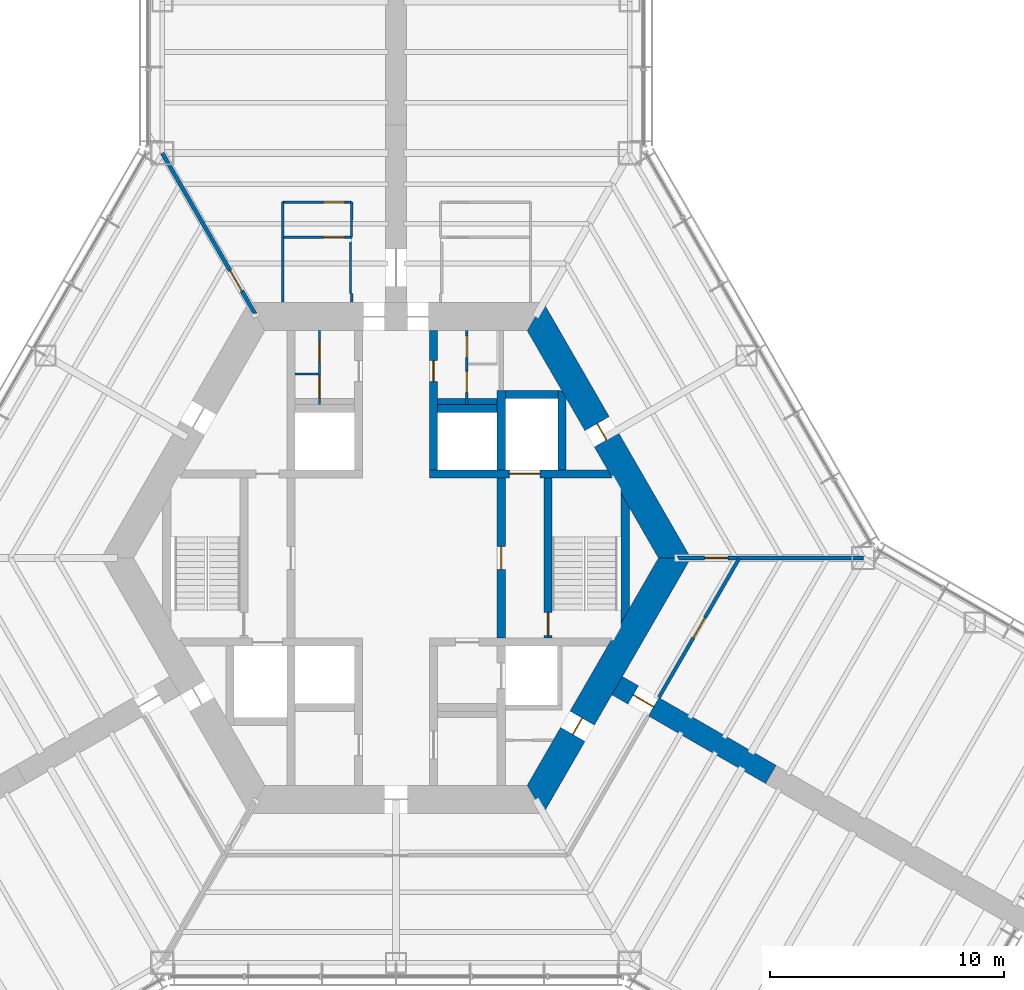
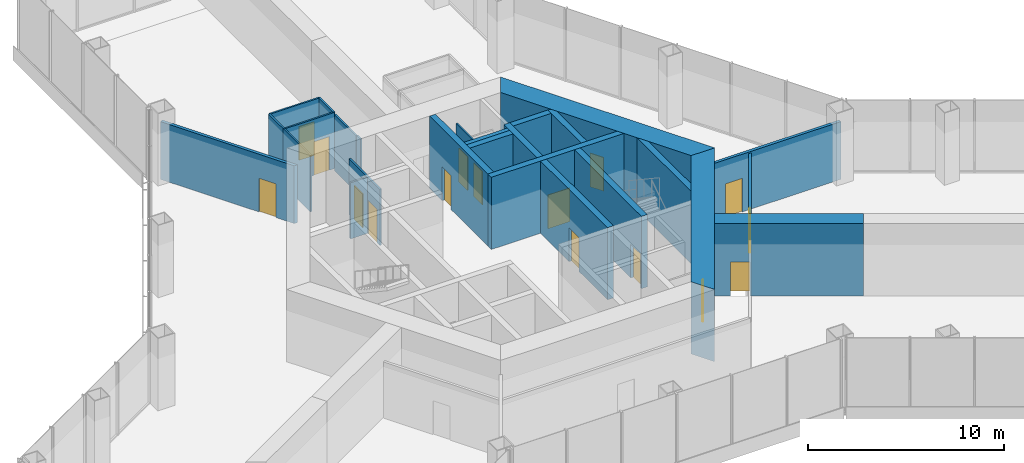
# One storey, part 10 of 13: 26 walls, 16 doors, 16 openings.
"""IFC4 building model written with IfcOpenShell, lengths in metres."""

from ifc_helpers import new_model, si_unit, direction, frame, frame_2d, origin, place, context, subcontext, project, spatial, polyline, rectangle, outline, extrude, material, layer, layer_set, type_object, element, fill, save


model = new_model("IFC4")

# Units and contexts
model_context = context("Model", 3, precision=1e-05, world=origin(), true_north=direction((0.0, 1.0)))
body_context = subcontext(model_context, "Body", "Model", "MODEL_VIEW")
ifc_project = project(units=[si_unit("LENGTHUNIT", "METRE"), si_unit("AREAUNIT", "SQUARE_METRE"), si_unit("VOLUMEUNIT", "CUBIC_METRE"), si_unit("PLANEANGLEUNIT", "RADIAN"), si_unit("MASSUNIT", "GRAM", prefix="KILO")], contexts=[model_context])

# Site, building, storey
site_placement = place(None, origin())
site = spatial("IfcSite", under=ifc_project, at=site_placement, CompositionType="ELEMENT")
building_placement = place(site_placement, origin())
building = spatial("IfcBuilding", under=site, at=building_placement, Name="Kasaneha Research Tower", CompositionType="ELEMENT")
storey_placement = place(building_placement, frame((0.0, 0.0, 5.5)))
storey = spatial("IfcBuildingStorey", under=building, at=storey_placement, Name="L02", CompositionType="ELEMENT", Elevation=5.5)

# Wall, opening, door
ifc_material_1 = material(Name="Concrete Fc100", Category="concrete")
ifc_layer_1 = layer(ifc_material_1, 0.35009765625)
ifc_layer_set_1 = layer_set([ifc_layer_1], Name="Core internal wall 350 Fc100")
wall_type_1 = type_object("IfcWallType", Name="Core internal wall 350 Fc100", PredefinedType="SHEAR", material=ifc_layer_set_1)
wall_1_placement = place(storey_placement, frame((1.425048828125, 3.60009765625, 0.0), z_axis=(0.0, 0.0, 1.0), x_axis=(1.0, 0.0, 0.0)))
wall_1 = element("IfcWall", 1, at=wall_1_placement, inside=storey, type_object=wall_type_1, Name="Core wall W1E L02", PredefinedType="SHEAR", context=body_context, shape_type="SweptSolid", body=[
    extrude(outline(polyline([(0.0, -0.175048828125), (3.425048828125, -0.175048828125), (4.72509765625, -0.175048828125), (7.8271484375, -0.175048828125), (7.625, 0.175048828125), (4.72509765625, 0.175048828125), (3.425048828125, 0.175048828125), (0.0, 0.175048828125), (0.0, -0.175048828125)])), origin(), (0.0, 0.0, 1.0), 4.5),
])
opening_1_placement = place(wall_1_placement, frame((3.425048828125, 0.0, 0.0)))
opening_1 = element("IfcOpeningElement", 2, at=opening_1_placement, cuts=wall_1, Name="Opening LD-FL1-L02", PredefinedType="OPENING", context=body_context, shape_type="SweptSolid", body=[
    extrude(rectangle(XDim=1.300048828125, YDim=2.10009765625, at=frame_2d((0.64990234375, 1.050048828125))), frame((0.0, 0.18505859375, 0.0), z_axis=(0.0, -1.0, 0.0), x_axis=(1.0, 0.0, 0.0)), (0.0, 0.0, 1.0), 0.3701171875),
])
ifc_material_2 = material(Name="Steel", Category="steel")
door_type_1 = type_object("IfcDoorType", Name="Lift landing door 1300x2100", OperationType="DOUBLE_DOOR_SLIDING", PredefinedType="DOOR", material=ifc_material_2)
door_1_placement = place(opening_1_placement, origin())
door_1 = element("IfcDoor", 3, at=door_1_placement, inside=storey, type_object=door_type_1, Name="Landing door FL1 LD-FL1-L02", OperationType="DOUBLE_DOOR_SLIDING", OverallHeight=2.10009765625, OverallWidth=1.300048828125, PredefinedType="DOOR", context=body_context, shape_type="SweptSolid", body=[
    extrude(rectangle(XDim=1.300048828125, YDim=2.10009765625, at=frame_2d((0.64990234375, 1.050048828125))), frame((0.0, 0.02490234375, 0.0), z_axis=(0.0, -1.0, 0.0), x_axis=(1.0, 0.0, 0.0)), (0.0, 0.0, 1.0), 0.050048828125),
])
fill(opening_1, door_1)

wall_2_placement = place(storey_placement, frame((1.60009765625, 3.77490234375, 0.0), z_axis=(0.0, 0.0, 1.0), x_axis=(0.0, 1.0, 0.0)))
wall_2 = element("IfcWall", 4, at=wall_2_placement, inside=storey, type_object=wall_type_1, Name="Core wall CNE L02", PredefinedType="SHEAR", context=body_context, shape_type="SweptSolid", body=[
    extrude(rectangle(XDim=5.9501953125, YDim=0.35009765625, at=frame_2d((2.97509765625, 0.0))), origin(), (0.0, 0.0, 1.0), 4.5),
])
opening_2_placement = place(wall_2_placement, frame((3.77490234375, 0.0, 0.0)))
opening_2 = element("IfcOpeningElement", 5, at=opening_2_placement, cuts=wall_2, Name="Opening L02-D14", PredefinedType="OPENING", context=body_context, shape_type="SweptSolid", body=[
    extrude(rectangle(XDim=0.89990234375, YDim=2.10009765625, at=frame_2d((0.449951171875, 1.050048828125))), frame((0.0, 0.18505859375, 0.0), z_axis=(0.0, -1.0, 0.0), x_axis=(1.0, 0.0, 0.0)), (0.0, 0.0, 1.0), 0.3701171875),
])
ifc_material_3 = material(Name="Steel", Category="steel")
door_type_2 = type_object("IfcDoorType", Name="Toilet door FD20 900x2100", OperationType="NOTDEFINED", PredefinedType="DOOR", material=ifc_material_3)
door_2_placement = place(opening_2_placement, origin())
door_2 = element("IfcDoor", 6, at=door_2_placement, inside=storey, type_object=door_type_2, Name="Women's WC door L02-D14", OperationType="SINGLE_SWING_LEFT", OverallHeight=2.10009765625, OverallWidth=0.89990234375, PredefinedType="DOOR", context=body_context, shape_type="SweptSolid", body=[
    extrude(rectangle(XDim=0.89990234375, YDim=2.10009765625, at=frame_2d((0.449951171875, 1.050048828125))), frame((0.0, 0.02490234375, 0.0), z_axis=(0.0, -1.0, 0.0), x_axis=(1.0, 0.0, 0.0)), (0.0, 0.0, 1.0), 0.050048828125),
])
fill(opening_2, door_2)

wall_3_placement = place(storey_placement, frame((4.5, -3.425048828125, 0.0), z_axis=(0.0, 0.0, 1.0), x_axis=(0.0, 1.0, 0.0)))
wall_3 = element("IfcWall", 7, at=wall_3_placement, inside=storey, type_object=wall_type_1, Name="Core wall LBE L02", PredefinedType="SHEAR", context=body_context, shape_type="SweptSolid", body=[
    extrude(rectangle(XDim=6.85009765625, YDim=0.35009765625, at=frame_2d((3.425048828125, 0.0))), origin(), (0.0, 0.0, 1.0), 4.5),
])
opening_3_placement = place(wall_3_placement, frame((2.925048828125, 0.0, 0.0)))
opening_3 = element("IfcOpeningElement", 8, at=opening_3_placement, cuts=wall_3, Name="Opening L02-D08", PredefinedType="OPENING", context=body_context, shape_type="SweptSolid", body=[
    extrude(rectangle(XDim=1.0, YDim=2.10009765625, at=frame_2d((0.5, 1.050048828125))), frame((0.0, 0.18505859375, 0.0), z_axis=(0.0, -1.0, 0.0), x_axis=(1.0, 0.0, 0.0)), (0.0, 0.0, 1.0), 0.3701171875),
])
ifc_material_4 = material(Name="Steel", Category="steel")
door_type_3 = type_object("IfcDoorType", Name="Specified fire door FD60 1000x2100", OperationType="NOTDEFINED", PredefinedType="DOOR", material=ifc_material_4)
door_3_placement = place(opening_3_placement, origin())
door_3 = element("IfcDoor", 9, at=door_3_placement, inside=storey, type_object=door_type_3, Name="Lift lobby door east L02-D08", OperationType="SINGLE_SWING_LEFT", OverallHeight=2.10009765625, OverallWidth=1.0, PredefinedType="DOOR", context=body_context, shape_type="SweptSolid", body=[
    extrude(rectangle(XDim=1.0, YDim=2.10009765625, at=frame_2d((0.5, 1.050048828125))), frame((0.0, 0.02490234375, 0.0), z_axis=(0.0, -1.0, 0.0), x_axis=(1.0, 0.0, 0.0)), (0.0, 0.0, 1.0), 0.050048828125),
])
fill(opening_3, door_3)

wall_4_placement = place(storey_placement, frame((6.5, -3.425048828125, 0.0), z_axis=(0.0, 0.0, 1.0), x_axis=(0.0, 1.0, 0.0)))
wall_4 = element("IfcWall", 10, at=wall_4_placement, inside=storey, type_object=wall_type_1, Name="Core wall ANE L02", PredefinedType="SHEAR", context=body_context, shape_type="SweptSolid", body=[
    extrude(rectangle(XDim=6.85009765625, YDim=0.35009765625, at=frame_2d((3.425048828125, 0.0))), origin(), (0.0, 0.0, 1.0), 4.5),
])
opening_4_placement = place(wall_4_placement, frame((0.10009765625, 0.0, 0.0)))
opening_4 = element("IfcOpeningElement", 11, at=opening_4_placement, cuts=wall_4, Name="Opening L02-D10", PredefinedType="OPENING", context=body_context, shape_type="SweptSolid", body=[
    extrude(rectangle(XDim=1.0, YDim=2.10009765625, at=frame_2d((0.5, 1.050048828125))), frame((0.0, 0.18505859375, 0.0), z_axis=(0.0, -1.0, 0.0), x_axis=(1.0, 0.0, 0.0)), (0.0, 0.0, 1.0), 0.3701171875),
])
door_4_placement = place(opening_4_placement, origin())
door_4 = element("IfcDoor", 12, at=door_4_placement, inside=storey, type_object=door_type_3, Name="Stair 1 door L02-D10", OperationType="SINGLE_SWING_LEFT", OverallHeight=2.10009765625, OverallWidth=1.0, PredefinedType="DOOR", context=body_context, shape_type="SweptSolid", body=[
    extrude(rectangle(XDim=1.0, YDim=2.10009765625, at=frame_2d((0.5, 1.050048828125))), frame((0.0, 0.02490234375, 0.0), z_axis=(0.0, -1.0, 0.0), x_axis=(1.0, 0.0, 0.0)), (0.0, 0.0, 1.0), 0.050048828125),
])
fill(opening_4, door_4)

# Walls
wall_5_placement = place(storey_placement, frame((4.5, 3.77490234375, 0.0), z_axis=(0.0, 0.0, 1.0), x_axis=(0.0, 1.0, 0.0)))
element("IfcWall", 13, at=wall_5_placement, inside=storey, type_object=wall_type_1, Name="Core wall FNE L02", PredefinedType="SHEAR", context=body_context, shape_type="SweptSolid", body=[
    extrude(rectangle(XDim=3.400146484375, YDim=0.35009765625, at=frame_2d((1.7001953125, 0.0))), origin(), (0.0, 0.0, 1.0), 4.5),
])
wall_6_placement = place(storey_placement, frame((1.77490234375, 6.39990234375, 0.0), z_axis=(0.0, 0.0, 1.0), x_axis=(1.0, 0.0, 0.0)))
element("IfcWall", 14, at=wall_6_placement, inside=storey, type_object=wall_type_1, Name="Core wall N3N L02", PredefinedType="SHEAR", context=body_context, shape_type="SweptSolid", body=[
    extrude(rectangle(XDim=2.550048828125, YDim=0.35009765625, at=frame_2d((1.27490234375, 0.0))), origin(), (0.0, 0.0, 1.0), 4.5),
])
wall_7_placement = place(storey_placement, frame((4.675048828125, 7.0, 0.0), z_axis=(0.0, 0.0, 1.0), x_axis=(1.0, 0.0, 0.0)))
element("IfcWall", 15, at=wall_7_placement, inside=storey, type_object=wall_type_1, Name="Core wall F1N L02", PredefinedType="SHEAR", context=body_context, shape_type="SweptSolid", body=[
    extrude(rectangle(XDim=2.25, YDim=0.35009765625, at=frame_2d((1.125, 0.0))), origin(), (0.0, 0.0, 1.0), 4.5),
])
wall_8_placement = place(storey_placement, frame((7.10009765625, 3.77490234375, 0.0), z_axis=(0.0, 0.0, 1.0), x_axis=(0.0, 1.0, 0.0)))
element("IfcWall", 16, at=wall_8_placement, inside=storey, type_object=wall_type_1, Name="Core wall F1E L02", PredefinedType="SHEAR", context=body_context, shape_type="SweptSolid", body=[
    extrude(outline(polyline([(0.0, -0.175048828125), (3.07421875, -0.175048828125), (3.37744140625, 0.0), (3.39990234375, 0.175048828125), (0.0, 0.175048828125), (0.0, -0.175048828125)])), origin(), (0.0, 0.0, 1.0), 4.5),
])
wall_9_placement = place(storey_placement, frame((9.807861328125, -2.462158203125, 0.0), z_axis=(0.0, 0.0, 1.0), x_axis=(0.0, 1.0, 0.0)))
element("IfcWall", 17, at=wall_9_placement, inside=storey, type_object=wall_type_1, Name="Core wall STE L02", PredefinedType="SHEAR", context=body_context, shape_type="SweptSolid", body=[
    extrude(outline(polyline([(0.30322265625, -0.175048828125), (4.62109375, -0.175048828125), (5.2275390625, 0.175048828125), (-0.30322265625, 0.175048828125), (0.30322265625, -0.175048828125)])), origin(), (0.0, 0.0, 1.0), 4.5),
])

# Wall, opening, door
ifc_material_5 = material(Name="Concrete Fc100", Category="concrete")
ifc_layer_2 = layer(ifc_material_5, 1.199951171875)
ifc_layer_set_2 = layer_set([ifc_layer_2], Name="Core wall 1200 Fc100")
wall_type_2 = type_object("IfcWallType", Name="Core wall 1200 Fc100", PredefinedType="SHEAR", material=ifc_layer_set_2)
wall_10_placement = place(storey_placement, frame((11.92236328125, 0.0, 0.0), z_axis=(0.0, 0.0, 1.0), x_axis=(-0.500004296715, 0.866022923061, 0.0)))
wall_10 = element("IfcWall", 18, at=wall_10_placement, inside=storey, type_object=wall_type_2, Name="Core wall 030 L02", PredefinedType="SHEAR", context=body_context, shape_type="SweptSolid", body=[
    extrude(outline(polyline([(-0.346435546875, -0.60009765625), (5.83544921875, -0.60009765625), (6.635498046875, -0.60009765625), (12.268798828125, -0.60009765625), (11.575927734375, 0.60009765625), (6.635498046875, 0.60009765625), (5.83544921875, 0.60009765625), (0.346435546875, 0.60009765625), (-0.346435546875, -0.60009765625)])), origin(), (0.0, 0.0, 1.0), 4.5),
])
opening_5_placement = place(wall_10_placement, frame((5.83544921875, 0.0, 0.0)))
opening_5 = element("IfcOpeningElement", 19, at=opening_5_placement, cuts=wall_10, Name="Opening L02-D04", PredefinedType="OPENING", context=body_context, shape_type="SweptSolid", body=[
    extrude(rectangle(XDim=0.800048828125, YDim=2.10009765625, at=frame_2d((0.39990234375, 1.050048828125))), frame((0.0, 0.60986328125, 0.0), z_axis=(0.0, -1.0, 0.0), x_axis=(1.0, 0.0, 0.0)), (0.0, 0.0, 1.0), 1.219970703125),
])
ifc_material_6 = material(Name="Steel", Category="steel")
door_type_4 = type_object("IfcDoorType", Name="Riser access door FD60 800x2100", OperationType="NOTDEFINED", PredefinedType="DOOR", material=ifc_material_6)
door_5_placement = place(opening_5_placement, origin())
door_5 = element("IfcDoor", 20, at=door_5_placement, inside=storey, type_object=door_type_4, Name="Pipe riser door L02-D04", OperationType="SINGLE_SWING_RIGHT", OverallHeight=2.10009765625, OverallWidth=0.800048828125, PredefinedType="DOOR", context=body_context, shape_type="SweptSolid", body=[
    extrude(rectangle(XDim=0.800048828125, YDim=2.10009765625, at=frame_2d((0.39990234375, 1.050048828125))), frame((0.0, 0.02490234375, 0.0), z_axis=(0.0, -1.0, 0.0), x_axis=(1.0, 0.0, 0.0)), (0.0, 0.0, 1.0), 0.050048828125),
])
fill(opening_5, door_5)

wall_11_placement = place(storey_placement, frame((5.961181640625, -10.324951171875, 0.0), z_axis=(0.0, 0.0, 1.0), x_axis=(0.500004296715, 0.866022923061, 0.0)))
wall_11 = element("IfcWall", 21, at=wall_11_placement, inside=storey, type_object=wall_type_2, Name="Core wall 330 L02", PredefinedType="SHEAR", context=body_context, shape_type="SweptSolid", body=[
    extrude(outline(polyline([(-0.346435546875, -0.60009765625), (3.20849609375, -0.60009765625), (4.008544921875, -0.60009765625), (12.268798828125, -0.60009765625), (11.575927734375, 0.60009765625), (4.008544921875, 0.60009765625), (3.20849609375, 0.60009765625), (0.346435546875, 0.60009765625), (-0.346435546875, -0.60009765625)])), origin(), (0.0, 0.0, 1.0), 4.5),
])
opening_6_placement = place(wall_11_placement, frame((3.20849609375, 0.0, 0.0)))
opening_6 = element("IfcOpeningElement", 22, at=opening_6_placement, cuts=wall_11, Name="Opening L02-D05", PredefinedType="OPENING", context=body_context, shape_type="SweptSolid", body=[
    extrude(rectangle(XDim=0.800048828125, YDim=2.10009765625, at=frame_2d((0.39990234375, 1.050048828125))), frame((0.0, 0.60986328125, 0.0), z_axis=(0.0, -1.0, 0.0), x_axis=(1.0, 0.0, 0.0)), (0.0, 0.0, 1.0), 1.219970703125),
])
door_6_placement = place(opening_6_placement, origin())
door_6 = element("IfcDoor", 23, at=door_6_placement, inside=storey, type_object=door_type_4, Name="Pipe riser door L02-D05", OperationType="SINGLE_SWING_LEFT", OverallHeight=2.10009765625, OverallWidth=0.800048828125, PredefinedType="DOOR", context=body_context, shape_type="SweptSolid", body=[
    extrude(rectangle(XDim=0.800048828125, YDim=2.10009765625, at=frame_2d((0.39990234375, 1.050048828125))), frame((0.0, 0.02490234375, 0.0), z_axis=(0.0, -1.0, 0.0), x_axis=(1.0, 0.0, 0.0)), (0.0, 0.0, 1.0), 0.050048828125),
])
fill(opening_6, door_6)

# Wall, openings, doors
ifc_material_7 = material(Name="Gypsum board on steel studs, one layer each side", Category="steel")
ifc_layer_3 = layer(ifc_material_7, 0.10009765625)
ifc_layer_set_3 = layer_set([ifc_layer_3], Name="Office partition 100")
wall_type_3 = type_object("IfcWallType", Name="Office partition 100", PredefinedType="PARTITIONING", material=ifc_layer_set_3)
wall_12_placement = place(storey_placement, frame((-3.27490234375, 6.574951171875, 0.0), z_axis=(0.0, 0.0, 1.0), x_axis=(0.0, 1.0, 0.0)))
wall_12 = element("IfcWall", 24, at=wall_12_placement, inside=storey, type_object=wall_type_3, Name="Office partition TBM1 L02", PredefinedType="PARTITIONING", context=body_context, shape_type="SweptSolid", body=[
    extrude(rectangle(XDim=3.150146484375, YDim=0.10009765625, at=frame_2d((1.5751953125, 0.0))), origin(), (0.0, 0.0, 1.0), 3.5),
])
opening_7_placement = place(wall_12_placement, frame((1.800048828125, 0.0, 0.0)))
opening_7 = element("IfcOpeningElement", 25, at=opening_7_placement, cuts=wall_12, Name="Opening L02-D20", PredefinedType="OPENING", context=body_context, shape_type="SweptSolid", body=[
    extrude(rectangle(XDim=0.89990234375, YDim=2.10009765625, at=frame_2d((0.449951171875, 1.050048828125))), frame((0.0, 0.06005859375, 0.0), z_axis=(0.0, -1.0, 0.0), x_axis=(1.0, 0.0, 0.0)), (0.0, 0.0, 1.0), 0.1201171875),
])
opening_8_placement = place(wall_12_placement, frame((0.300048828125, 0.0, 0.0)))
opening_8 = element("IfcOpeningElement", 26, at=opening_8_placement, cuts=wall_12, Name="Opening L02-D21", PredefinedType="OPENING", context=body_context, shape_type="SweptSolid", body=[
    extrude(rectangle(XDim=0.89990234375, YDim=2.10009765625, at=frame_2d((0.449951171875, 1.050048828125))), frame((0.0, 0.06005859375, 0.0), z_axis=(0.0, -1.0, 0.0), x_axis=(1.0, 0.0, 0.0)), (0.0, 0.0, 1.0), 0.1201171875),
])
ifc_material_8 = material(Name="Steel", Category="steel")
door_type_5 = type_object("IfcDoorType", Name="Toilet lobby door FD30 900x2100", OperationType="NOTDEFINED", PredefinedType="DOOR", material=ifc_material_8)
door_7_placement = place(opening_7_placement, origin())
door_7 = element("IfcDoor", 27, at=door_7_placement, inside=storey, type_object=door_type_5, Name="Men's WC door L02-D20", OperationType="SINGLE_SWING_RIGHT", OverallHeight=2.10009765625, OverallWidth=0.89990234375, PredefinedType="DOOR", context=body_context, shape_type="SweptSolid", body=[
    extrude(rectangle(XDim=0.89990234375, YDim=2.10009765625, at=frame_2d((0.449951171875, 1.050048828125))), frame((0.0, 0.02490234375, 0.0), z_axis=(0.0, -1.0, 0.0), x_axis=(1.0, 0.0, 0.0)), (0.0, 0.0, 1.0), 0.050048828125),
])
fill(opening_7, door_7)
door_8_placement = place(opening_8_placement, origin())
door_8 = element("IfcDoor", 28, at=door_8_placement, inside=storey, type_object=door_type_5, Name="Cleaner's store door L02-D21", OperationType="SINGLE_SWING_RIGHT", OverallHeight=2.10009765625, OverallWidth=0.89990234375, PredefinedType="DOOR", context=body_context, shape_type="SweptSolid", body=[
    extrude(rectangle(XDim=0.89990234375, YDim=2.10009765625, at=frame_2d((0.449951171875, 1.050048828125))), frame((0.0, 0.02490234375, 0.0), z_axis=(0.0, -1.0, 0.0), x_axis=(1.0, 0.0, 0.0)), (0.0, 0.0, 1.0), 0.050048828125),
])
fill(opening_8, door_8)

# Wall
wall_13_placement = place(storey_placement, frame((-3.324951171875, 7.875, 0.0), z_axis=(0.0, 0.0, 1.0), x_axis=(-1.0, 0.0, 0.0)))
element("IfcWall", 29, at=wall_13_placement, inside=storey, type_object=wall_type_3, Name="Office partition TBM2 L02", PredefinedType="PARTITIONING", context=body_context, shape_type="SweptSolid", body=[
    extrude(rectangle(XDim=1.0, YDim=0.10009765625, at=frame_2d((0.5, 0.0))), origin(), (0.0, 0.0, 1.0), 3.5),
])

# Wall, openings, doors
wall_14_placement = place(storey_placement, frame((3.02490234375, 6.574951171875, 0.0), z_axis=(0.0, 0.0, 1.0), x_axis=(0.0, 1.0, 0.0)))
wall_14 = element("IfcWall", 30, at=wall_14_placement, inside=storey, type_object=wall_type_3, Name="Office partition TBF1 L02", PredefinedType="PARTITIONING", context=body_context, shape_type="SweptSolid", body=[
    extrude(rectangle(XDim=3.150146484375, YDim=0.10009765625, at=frame_2d((1.5751953125, 0.0))), origin(), (0.0, 0.0, 1.0), 3.5),
])
opening_9_placement = place(wall_14_placement, frame((2.014892578125, 0.0, 0.0)))
opening_9 = element("IfcOpeningElement", 31, at=opening_9_placement, cuts=wall_14, Name="Opening L02-D22", PredefinedType="OPENING", context=body_context, shape_type="SweptSolid", body=[
    extrude(rectangle(XDim=0.89990234375, YDim=2.10009765625, at=frame_2d((0.449951171875, 1.050048828125))), frame((0.0, 0.06005859375, 0.0), z_axis=(0.0, -1.0, 0.0), x_axis=(1.0, 0.0, 0.0)), (0.0, 0.0, 1.0), 0.1201171875),
])
opening_10_placement = place(wall_14_placement, frame((0.514892578125, 0.0, 0.0)))
opening_10 = element("IfcOpeningElement", 32, at=opening_10_placement, cuts=wall_14, Name="Opening L02-D23", PredefinedType="OPENING", context=body_context, shape_type="SweptSolid", body=[
    extrude(rectangle(XDim=0.89990234375, YDim=2.10009765625, at=frame_2d((0.449951171875, 1.050048828125))), frame((0.0, 0.06005859375, 0.0), z_axis=(0.0, -1.0, 0.0), x_axis=(1.0, 0.0, 0.0)), (0.0, 0.0, 1.0), 0.1201171875),
])
door_9_placement = place(opening_9_placement, origin())
door_9 = element("IfcDoor", 33, at=door_9_placement, inside=storey, type_object=door_type_5, Name="Women's WC door L02-D22", OperationType="SINGLE_SWING_RIGHT", OverallHeight=2.10009765625, OverallWidth=0.89990234375, PredefinedType="DOOR", context=body_context, shape_type="SweptSolid", body=[
    extrude(rectangle(XDim=0.89990234375, YDim=2.10009765625, at=frame_2d((0.449951171875, 1.050048828125))), frame((0.0, 0.02490234375, 0.0), z_axis=(0.0, -1.0, 0.0), x_axis=(1.0, 0.0, 0.0)), (0.0, 0.0, 1.0), 0.050048828125),
])
fill(opening_9, door_9)
door_10_placement = place(opening_10_placement, origin())
door_10 = element("IfcDoor", 34, at=door_10_placement, inside=storey, type_object=door_type_5, Name="Shower room door L02-D23", OperationType="SINGLE_SWING_RIGHT", OverallHeight=2.10009765625, OverallWidth=0.89990234375, PredefinedType="DOOR", context=body_context, shape_type="SweptSolid", body=[
    extrude(rectangle(XDim=0.89990234375, YDim=2.10009765625, at=frame_2d((0.449951171875, 1.050048828125))), frame((0.0, 0.02490234375, 0.0), z_axis=(0.0, -1.0, 0.0), x_axis=(1.0, 0.0, 0.0)), (0.0, 0.0, 1.0), 0.050048828125),
])
fill(opening_10, door_10)

# Wall, opening, door
wall_15_placement = place(storey_placement, frame((-4.85009765625, 13.719970703125, 0.0), z_axis=(0.0, 0.0, 1.0), x_axis=(1.0, 0.0, 0.0)))
wall_15 = element("IfcWall", 35, at=wall_15_placement, inside=storey, type_object=wall_type_3, Name="Office partition FAW01 L02", PredefinedType="PARTITIONING", context=body_context, shape_type="SweptSolid", body=[
    extrude(rectangle(XDim=2.9501953125, YDim=0.10009765625, at=frame_2d((1.47509765625, 0.0))), origin(), (0.0, 0.0, 1.0), 3.5),
])
opening_11_placement = place(wall_15_placement, frame((1.75, 0.0, 0.0)))
opening_11 = element("IfcOpeningElement", 36, at=opening_11_placement, cuts=wall_15, Name="Opening L02-D30", PredefinedType="OPENING", context=body_context, shape_type="SweptSolid", body=[
    extrude(rectangle(XDim=0.89990234375, YDim=2.10009765625, at=frame_2d((0.449951171875, 1.050048828125))), frame((0.0, 0.06005859375, 0.0), z_axis=(0.0, -1.0, 0.0), x_axis=(1.0, 0.0, 0.0)), (0.0, 0.0, 1.0), 0.1201171875),
])
door_11_placement = place(opening_11_placement, origin())
door_11 = element("IfcDoor", 37, at=door_11_placement, inside=storey, type_object=door_type_5, Name="Men's WC door L02-D30", OperationType="SINGLE_SWING_RIGHT", OverallHeight=2.10009765625, OverallWidth=0.89990234375, PredefinedType="DOOR", context=body_context, shape_type="SweptSolid", body=[
    extrude(rectangle(XDim=0.89990234375, YDim=2.10009765625, at=frame_2d((0.449951171875, 1.050048828125))), frame((0.0, 0.02490234375, 0.0), z_axis=(0.0, -1.0, 0.0), x_axis=(1.0, 0.0, 0.0)), (0.0, 0.0, 1.0), 0.050048828125),
])
fill(opening_11, door_11)

# Walls
wall_16_placement = place(storey_placement, frame((-4.85009765625, 10.945068359375, 0.0), z_axis=(0.0, 0.0, 1.0), x_axis=(0.001756386155, 0.999998457553, 0.0)))
element("IfcWall", 38, at=wall_16_placement, inside=storey, type_object=wall_type_3, Name="Office partition FAW02 L02", PredefinedType="PARTITIONING", context=body_context, shape_type="SweptSolid", body=[
    extrude(rectangle(XDim=2.780029296875, YDim=0.10009765625, at=frame_2d((1.39013671875, 0.0))), origin(), (0.0, 0.0, 1.0), 3.5),
])
wall_17_placement = place(storey_placement, frame((-1.949951171875, 13.52490234375, 0.0), z_axis=(0.0, 0.0, 1.0), x_axis=(0.0, -1.0, 0.0)))
element("IfcWall", 39, at=wall_17_placement, inside=storey, type_object=wall_type_3, Name="Office partition FAW03 L02", PredefinedType="PARTITIONING", context=body_context, shape_type="SweptSolid", body=[
    extrude(rectangle(XDim=2.199951171875, YDim=0.10009765625, at=frame_2d((1.10009765625, 0.0))), origin(), (0.0, 0.0, 1.0), 3.5),
])
wall_18_placement = place(storey_placement, frame((-1.89990234375, 11.324951171875, 0.0), z_axis=(0.0, 0.0, 1.0), x_axis=(0.0, -1.0, 0.0)))
element("IfcWall", 40, at=wall_18_placement, inside=storey, type_object=wall_type_3, Name="Office partition FAW04 L02", PredefinedType="PARTITIONING", context=body_context, shape_type="SweptSolid", body=[
    extrude(rectangle(XDim=0.3798828125, YDim=0.10009765625, at=frame_2d((0.18994140625, 0.0))), origin(), (0.0, 0.0, 1.0), 3.5),
])

# Wall, opening, door
wall_19_placement = place(storey_placement, frame((-4.85009765625, 15.22509765625, 0.0), z_axis=(0.0, 0.0, 1.0), x_axis=(1.0, 0.0, 0.0)))
wall_19 = element("IfcWall", 41, at=wall_19_placement, inside=storey, type_object=wall_type_3, Name="Office partition FAW05 L02", PredefinedType="PARTITIONING", context=body_context, shape_type="SweptSolid", body=[
    extrude(rectangle(XDim=2.9501953125, YDim=0.10009765625, at=frame_2d((1.47509765625, 0.0))), origin(), (0.0, 0.0, 1.0), 3.5),
])
opening_12_placement = place(wall_19_placement, frame((1.75, 0.0, 0.0)))
opening_12 = element("IfcOpeningElement", 42, at=opening_12_placement, cuts=wall_19, Name="Opening L02-D31", PredefinedType="OPENING", context=body_context, shape_type="SweptSolid", body=[
    extrude(rectangle(XDim=0.89990234375, YDim=2.10009765625, at=frame_2d((0.449951171875, 1.050048828125))), frame((0.0, 0.06005859375, 0.0), z_axis=(0.0, -1.0, 0.0), x_axis=(1.0, 0.0, 0.0)), (0.0, 0.0, 1.0), 0.1201171875),
])
door_12_placement = place(opening_12_placement, origin())
door_12 = element("IfcDoor", 43, at=door_12_placement, inside=storey, type_object=door_type_5, Name="Toilet lobby door L02-D31", OperationType="SINGLE_SWING_RIGHT", OverallHeight=2.10009765625, OverallWidth=0.89990234375, PredefinedType="DOOR", context=body_context, shape_type="SweptSolid", body=[
    extrude(rectangle(XDim=0.89990234375, YDim=2.10009765625, at=frame_2d((0.449951171875, 1.050048828125))), frame((0.0, 0.02490234375, 0.0), z_axis=(0.0, -1.0, 0.0), x_axis=(1.0, 0.0, 0.0)), (0.0, 0.0, 1.0), 0.050048828125),
])
fill(opening_12, door_12)

# Walls
for number, where, z_axis, x_axis, name in (
    (44, (-4.84521484375, 13.72509765625, 0.0), (0.0, 0.0, 1.0), (-0.003255191087, 0.999994701851, 0.0), "Office partition FAW06 L02"),
    (45, (-1.89990234375, 15.22509765625, 0.0), (0.0, 0.0, 1.0), (-0.00309243313, -0.999995218417, 0.0), "Office partition FAW07 L02"),
):
    element("IfcWall", number, at=place(storey_placement, frame(where, z_axis=z_axis, x_axis=x_axis)), inside=storey, type_object=wall_type_3, Name=name, PredefinedType="PARTITIONING", context=body_context, shape_type="SweptSolid", body=[
        extrude(rectangle(XDim=1.5, YDim=0.10009765625, at=frame_2d((0.75, 0.0))), origin(), (0.0, 0.0, 1.0), 3.5),
    ])

# Wall, opening, door
ifc_material_9 = material(Name="Concrete Fc100", Category="concrete")
ifc_layer_4 = layer(ifc_material_9, 0.89990234375)
ifc_layer_set_4 = layer_set([ifc_layer_4], Name="Spine wall 900 Fc100")
wall_type_4 = type_object("IfcWallType", Name="Spine wall 900 Fc100", PredefinedType="SHEAR", material=ifc_layer_set_4)
wall_20_placement = place(storey_placement, frame((9.46142578125, -5.46240234375, 0.0), z_axis=(0.0, 0.0, 1.0), x_axis=(0.866019116917, -0.500010889016, 0.0)))
wall_20 = element("IfcWall", 46, at=wall_20_placement, inside=storey, type_object=wall_type_4, Name="Spine wall C L02", PredefinedType="SHEAR", context=body_context, shape_type="SweptSolid", body=[
    extrude(rectangle(XDim=7.595458984375, YDim=0.89990234375, at=frame_2d((3.7978515625, 0.0))), origin(), (0.0, 0.0, 1.0), 4.5),
])
opening_13_placement = place(wall_20_placement, frame((0.800048828125, 0.0, 0.0)))
opening_13 = element("IfcOpeningElement", 47, at=opening_13_placement, cuts=wall_20, Name="Opening L02-D19", PredefinedType="OPENING", context=body_context, shape_type="SweptSolid", body=[
    extrude(rectangle(XDim=1.0, YDim=2.10009765625, at=frame_2d((0.5, 1.050048828125))), frame((0.0, 0.4599609375, 0.0), z_axis=(0.0, -1.0, 0.0), x_axis=(1.0, 0.0, 0.0)), (0.0, 0.0, 1.0), 0.919921875),
])
door_13_placement = place(opening_13_placement, origin())
door_13 = element("IfcDoor", 48, at=door_13_placement, inside=storey, type_object=door_type_3, Name="Spine doorway C L02-D19", OperationType="SINGLE_SWING_LEFT", OverallHeight=2.10009765625, OverallWidth=1.0, PredefinedType="DOOR", context=body_context, shape_type="SweptSolid", body=[
    extrude(rectangle(XDim=1.0, YDim=2.10009765625, at=frame_2d((0.5, 1.050048828125))), frame((0.0, 0.02490234375, 0.0), z_axis=(0.0, -1.0, 0.0), x_axis=(1.0, 0.0, 0.0)), (0.0, 0.0, 1.0), 0.050048828125),
])
fill(opening_13, door_13)

ifc_material_10 = material(Name="Gypsum board on steel studs, two layers each side", Category="steel")
ifc_layer_5 = layer(ifc_material_10, 0.14990234375)
ifc_layer_set_5 = layer_set([ifc_layer_5], Name="Suite partition 150")
wall_type_5 = type_object("IfcWallType", Name="Suite partition 150", PredefinedType="PARTITIONING", material=ifc_layer_set_5)
wall_21_placement = place(storey_placement, frame((14.681884765625, -0.02001953125, 0.0), z_axis=(0.0, 0.0, 1.0), x_axis=(-0.499985579985, -0.866033729024, 0.0)))
wall_21 = element("IfcWall", 49, at=wall_21_placement, inside=storey, type_object=wall_type_5, Name="Suite partition FCE01 L02", PredefinedType="PARTITIONING", context=body_context, shape_type="SweptSolid", body=[
    extrude(rectangle(XDim=6.853759765625, YDim=0.14990234375, at=frame_2d((3.4267578125, 0.0))), origin(), (0.0, 0.0, 1.0), 3.5),
])
opening_14_placement = place(wall_21_placement, frame((2.927001953125, 0.0, 0.0)))
opening_14 = element("IfcOpeningElement", 50, at=opening_14_placement, cuts=wall_21, Name="Opening L02-D33", PredefinedType="OPENING", context=body_context, shape_type="SweptSolid", body=[
    extrude(rectangle(XDim=1.0, YDim=2.10009765625, at=frame_2d((0.5, 1.050048828125))), frame((0.0, 0.0849609375, 0.0), z_axis=(0.0, -1.0, 0.0), x_axis=(1.0, 0.0, 0.0)), (0.0, 0.0, 1.0), 0.169921875),
])
ifc_material_11 = material(Name="Steel", Category="steel")
door_type_6 = type_object("IfcDoorType", Name="Suite entrance door FD60 1000x2100", OperationType="NOTDEFINED", PredefinedType="DOOR", material=ifc_material_11)
door_14_placement = place(opening_14_placement, origin())
door_14 = element("IfcDoor", 51, at=door_14_placement, inside=storey, type_object=door_type_6, Name="Suite entrance door L02-D33", OperationType="SINGLE_SWING_RIGHT", OverallHeight=2.10009765625, OverallWidth=1.0, PredefinedType="DOOR", context=body_context, shape_type="SweptSolid", body=[
    extrude(rectangle(XDim=1.0, YDim=2.10009765625, at=frame_2d((0.5, 1.050048828125))), frame((0.0, 0.02490234375, 0.0), z_axis=(0.0, -1.0, 0.0), x_axis=(1.0, 0.0, 0.0)), (0.0, 0.0, 1.0), 0.050048828125),
])
fill(opening_14, door_14)

ifc_material_12 = material(Name="Gypsum board on steel studs, two layers each side", Category="steel")
ifc_layer_6 = layer(ifc_material_12, 0.175048828125)
ifc_layer_set_6 = layer_set([ifc_layer_6], Name="Tenancy fire partition 175")
wall_type_6 = type_object("IfcWallType", Name="Tenancy fire partition 175", PredefinedType="PARTITIONING", material=ifc_layer_set_6)
wall_22_placement = place(storey_placement, frame((12.070068359375, 0.0, 0.0), z_axis=(0.0, 0.0, 1.0), x_axis=(1.0, 0.0, 0.0)))
wall_22 = element("IfcWall", 52, at=wall_22_placement, inside=storey, type_object=wall_type_6, Name="Tenancy fire partition T000 L02", PredefinedType="PARTITIONING", context=body_context, shape_type="SweptSolid", body=[
    extrude(outline(polyline([(0.050537109375, -0.08740234375), (1.12939453125, -0.08740234375), (2.12939453125, -0.08740234375), (7.929931640625, -0.08740234375), (7.929931640625, 0.08740234375), (2.12939453125, 0.08740234375), (1.12939453125, 0.08740234375), (-0.050537109375, 0.08740234375), (0.050537109375, -0.08740234375)])), origin(), (0.0, 0.0, 1.0), 3.60009765625),
])
opening_15_placement = place(wall_22_placement, frame((1.12939453125, 0.0, 0.0)))
opening_15 = element("IfcOpeningElement", 53, at=opening_15_placement, cuts=wall_22, Name="Opening L02-D25", PredefinedType="OPENING", context=body_context, shape_type="SweptSolid", body=[
    extrude(rectangle(XDim=1.0, YDim=2.10009765625, at=frame_2d((0.5, 1.050048828125))), frame((0.0, 0.09765625, 0.0), z_axis=(0.0, -1.0, 0.0), x_axis=(1.0, 0.0, 0.0)), (0.0, 0.0, 1.0), 0.195068359375),
])
door_15_placement = place(opening_15_placement, origin())
door_15 = element("IfcDoor", 54, at=door_15_placement, inside=storey, type_object=door_type_6, Name="Connecting door L02-D25", OperationType="SINGLE_SWING_RIGHT", OverallHeight=2.10009765625, OverallWidth=1.0, PredefinedType="DOOR", context=body_context, shape_type="SweptSolid", body=[
    extrude(rectangle(XDim=1.0, YDim=2.10009765625, at=frame_2d((0.5, 1.050048828125))), frame((0.0, 0.02490234375, 0.0), z_axis=(0.0, -1.0, 0.0), x_axis=(1.0, 0.0, 0.0)), (0.0, 0.0, 1.0), 0.050048828125),
])
fill(opening_15, door_15)

wall_23_placement = place(storey_placement, frame((-6.03515625, 10.453125, 0.0), z_axis=(0.0, 0.0, 1.0), x_axis=(-0.499993402427, 0.866029212861, 0.0)))
wall_23 = element("IfcWall", 55, at=wall_23_placement, inside=storey, type_object=wall_type_6, Name="Tenancy fire partition T120 L02", PredefinedType="PARTITIONING", context=body_context, shape_type="SweptSolid", body=[
    extrude(outline(polyline([(-0.050537109375, -0.08740234375), (1.12939453125, -0.08740234375), (2.12939453125, -0.08740234375), (7.9296875, -0.08740234375), (7.9296875, 0.08740234375), (2.12939453125, 0.08740234375), (1.12939453125, 0.08740234375), (0.050537109375, 0.08740234375), (-0.050537109375, -0.08740234375)])), origin(), (0.0, 0.0, 1.0), 3.60009765625),
])
opening_16_placement = place(wall_23_placement, frame((1.12939453125, 0.0, 0.0)))
opening_16 = element("IfcOpeningElement", 56, at=opening_16_placement, cuts=wall_23, Name="Opening L02-D26", PredefinedType="OPENING", context=body_context, shape_type="SweptSolid", body=[
    extrude(rectangle(XDim=1.0, YDim=2.10009765625, at=frame_2d((0.5, 1.050048828125))), frame((0.0, 0.09765625, 0.0), z_axis=(0.0, -1.0, 0.0), x_axis=(1.0, 0.0, 0.0)), (0.0, 0.0, 1.0), 0.195068359375),
])
door_16_placement = place(opening_16_placement, origin())
door_16 = element("IfcDoor", 57, at=door_16_placement, inside=storey, type_object=door_type_6, Name="Connecting door L02-D26", OperationType="SINGLE_SWING_LEFT", OverallHeight=2.10009765625, OverallWidth=1.0, PredefinedType="DOOR", context=body_context, shape_type="SweptSolid", body=[
    extrude(rectangle(XDim=1.0, YDim=2.10009765625, at=frame_2d((0.5, 1.050048828125))), frame((0.0, 0.02490234375, 0.0), z_axis=(0.0, -1.0, 0.0), x_axis=(1.0, 0.0, 0.0)), (0.0, 0.0, 1.0), 0.050048828125),
])
fill(opening_16, door_16)

# Wall
ifc_material_13 = material(Name="Concrete block lining", Category="concrete")
ifc_layer_7 = layer(ifc_material_13, 0.25)
ifc_layer_set_7 = layer_set([ifc_layer_7], Name="WC plumbing wall 250")
wall_type_7 = type_object("IfcWallType", Name="WC plumbing wall 250", PredefinedType="PLUMBINGWALL", material=ifc_layer_set_7)
wall_24_placement = place(storey_placement, frame((1.77490234375, 6.699951171875, 0.0), z_axis=(0.0, 0.0, 1.0), x_axis=(1.0, 0.0, 0.0)))
element("IfcWall", 58, at=wall_24_placement, inside=storey, type_object=wall_type_7, Name="WC plumbing wall F L02", PredefinedType="PLUMBINGWALL", context=body_context, shape_type="SweptSolid", body=[
    extrude(rectangle(XDim=2.550048828125, YDim=0.25, at=frame_2d((1.27490234375, 0.0))), origin(), (0.0, 0.0, 1.0), 4.5),
])

save(model, "model.ifc")
